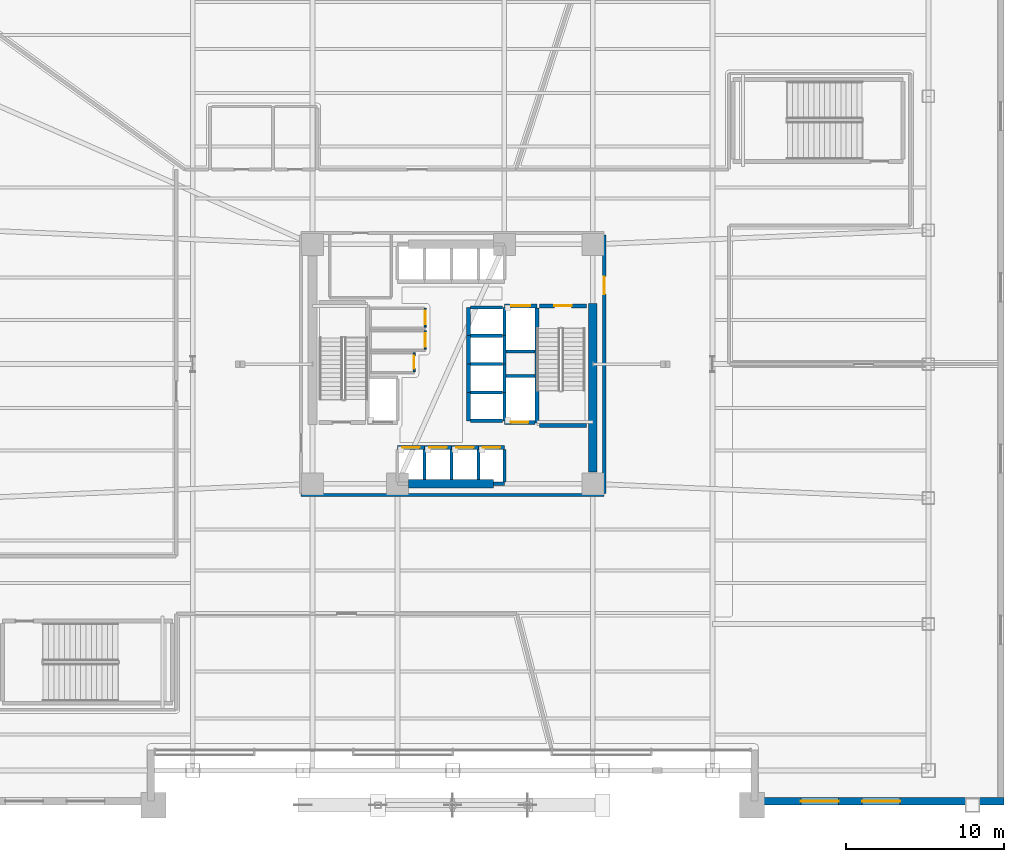
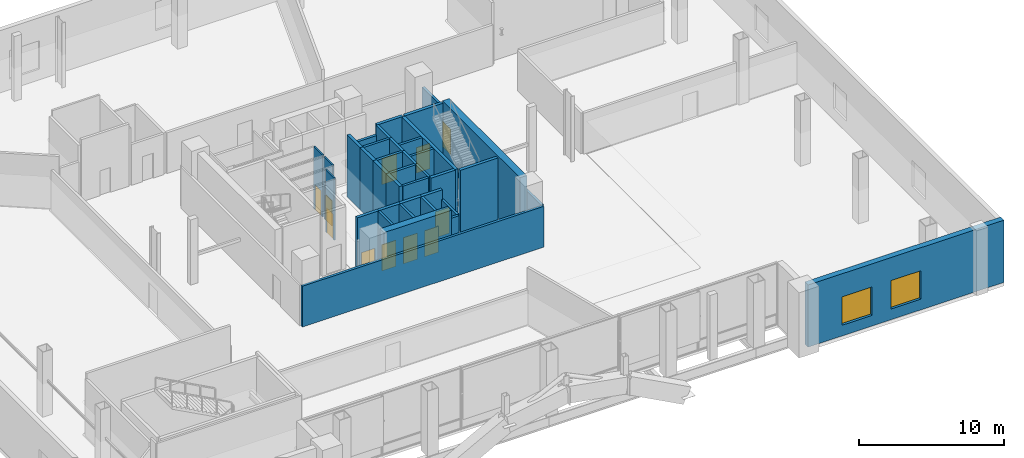
# One storey, part 9 of 19: 37 walls, 11 doors, 2 windows, 13 openings.
"""IFC4 building model written with IfcOpenShell, lengths in metres."""

from ifc_helpers import new_model, si_unit, direction, frame, frame_2d, origin, place, context, subcontext, project, spatial, rectangle, extrude, material, layer, layer_set, type_object, element, fill, save


model = new_model("IFC4")

# Units and contexts
model_context = context("Model", 3, precision=1e-05, world=origin(), true_north=direction((0.0, 1.0)))
body_context = subcontext(model_context, "Body", "Model", "MODEL_VIEW")
ifc_project = project(units=[si_unit("LENGTHUNIT", "METRE"), si_unit("AREAUNIT", "SQUARE_METRE"), si_unit("VOLUMEUNIT", "CUBIC_METRE"), si_unit("PLANEANGLEUNIT", "RADIAN"), si_unit("MASSUNIT", "GRAM", prefix="KILO")], contexts=[model_context])

# Site, building, storey
site_placement = place(None, origin())
site = spatial("IfcSite", under=ifc_project, at=site_placement, CompositionType="ELEMENT")
building_placement = place(site_placement, origin())
building = spatial("IfcBuilding", under=site, at=building_placement, Name="Tharavind Bronze Gate", CompositionType="ELEMENT")
storey_placement = place(building_placement, frame((0.0, 0.0, 11.0)))
storey = spatial("IfcBuildingStorey", under=building, at=storey_placement, Name="L02", CompositionType="ELEMENT", Elevation=11.0)

# Wall, openings, windows
ifc_material_1 = material(Name="Concrete C50/60", Category="concrete")
ifc_layer_1 = layer(ifc_material_1, 0.449951171875)
ifc_layer_set_1 = layer_set([ifc_layer_1], Name="Concrete C50/60")
wall_type_1 = type_object("IfcWallType", Name="EXTERIOR SPANDREL WALL 450", PredefinedType="STANDARD", material=ifc_layer_set_1)
wall_1_placement = place(storey_placement, frame((19.39990234375, -27.75, 0.0), z_axis=(0.0, 0.0, 1.0), x_axis=(1.0, 0.0, 0.0)))
wall_1 = element("IfcWall", 1, at=wall_1_placement, inside=storey, type_object=wall_type_1, Name="L02 south portal east flank wall", PredefinedType="STANDARD", context=body_context, shape_type="SweptSolid", body=[
    extrude(rectangle(XDim=15.60009765625, YDim=0.449951171875, at=frame_2d((7.800048828125, 0.0))), origin(), (0.0, 0.0, 1.0), 5.239990234375),
])
opening_1_placement = place(wall_1_placement, frame((2.699951171875, 0.0, 0.89990234375)))
opening_1 = element("IfcOpeningElement", 2, at=opening_1_placement, cuts=wall_1, Name="Opening W03", PredefinedType="OPENING", context=body_context, shape_type="SweptSolid", body=[
    extrude(rectangle(XDim=2.39990234375, YDim=2.39990234375, at=frame_2d((1.199951171875, 1.199951171875))), frame((0.0, 0.23509765625, 0.0), z_axis=(0.0, -1.0, 0.0), x_axis=(1.0, 0.0, 0.0)), (0.0, 0.0, 1.0), 0.469951171875),
])
opening_2_placement = place(wall_1_placement, frame((6.60009765625, 0.0, 0.89990234375)))
opening_2 = element("IfcOpeningElement", 3, at=opening_2_placement, cuts=wall_1, Name="Opening W03", PredefinedType="OPENING", context=body_context, shape_type="SweptSolid", body=[
    extrude(rectangle(XDim=2.39990234375, YDim=2.39990234375, at=frame_2d((1.199951171875, 1.199951171875))), frame((0.0, 0.23509765625, 0.0), z_axis=(0.0, -1.0, 0.0), x_axis=(1.0, 0.0, 0.0)), (0.0, 0.0, 1.0), 0.469951171875),
])
ifc_material_2 = material(Name="Bronze Aluminium & Low-E Glass", Category="aluminium")
window_type = type_object("IfcWindowType", Name="PODIUM RIBBON BRONZE WINDOW 2400X2400", PartitioningType="TRIPLE_PANEL_VERTICAL", PredefinedType="WINDOW", material=ifc_material_2)
window_1_placement = place(opening_1_placement, origin())
window_1 = element("IfcWindow", 4, at=window_1_placement, inside=storey, type_object=window_type, Name="L02 exterior window WL-L02-ARCHSR-01", OverallHeight=2.39990234375, OverallWidth=2.39990234375, PartitioningType="SINGLE_PANEL", PredefinedType="WINDOW", context=body_context, shape_type="SweptSolid", body=[
    extrude(rectangle(XDim=2.39990234375, YDim=2.39990234375, at=frame_2d((1.199951171875, 1.199951171875))), frame((0.0, 0.030029296875, 0.0), z_axis=(0.0, -1.0, 0.0), x_axis=(1.0, 0.0, 0.0)), (0.0, 0.0, 1.0), 0.06005859375),
])
fill(opening_1, window_1)
window_2_placement = place(opening_2_placement, origin())
window_2 = element("IfcWindow", 5, at=window_2_placement, inside=storey, type_object=window_type, Name="L02 exterior window WL-L02-ARCHSR-02", OverallHeight=2.39990234375, OverallWidth=2.39990234375, PartitioningType="SINGLE_PANEL", PredefinedType="WINDOW", context=body_context, shape_type="SweptSolid", body=[
    extrude(rectangle(XDim=2.39990234375, YDim=2.39990234375, at=frame_2d((1.199951171875, 1.199951171875))), frame((0.0, 0.030029296875, 0.0), z_axis=(0.0, -1.0, 0.0), x_axis=(1.0, 0.0, 0.0)), (0.0, 0.0, 1.0), 0.06005859375),
])
fill(opening_2, window_2)

# Wall
ifc_material_3 = material(Name="Aerated Concrete Block", Category="concrete")
ifc_layer_2 = layer(ifc_material_3, 0.199951171875)
ifc_layer_set_2 = layer_set([ifc_layer_2], Name="Aerated Concrete Block")
wall_type_2 = type_object("IfcWallType", Name="FIRE RATED PARTITION 200", PredefinedType="PARTITIONING", material=ifc_layer_set_2)
wall_2_placement = place(storey_placement, frame((-9.6201171875, -8.320068359375, 0.0), z_axis=(0.0, 0.0, 1.0), x_axis=(1.0, 0.0, 0.0)))
element("IfcWall", 6, at=wall_2_placement, inside=storey, type_object=wall_type_2, Name="L02 south core corridor wall", PredefinedType="PARTITIONING", context=body_context, shape_type="SweptSolid", body=[
    extrude(rectangle(XDim=19.240234375, YDim=0.199951171875, at=frame_2d((9.6201171875, 0.0))), origin(), (0.0, 0.0, 1.0), 3.43505859375),
])

# Wall, opening, door
wall_3_placement = place(storey_placement, frame((9.6201171875, -8.199951171875, 0.0), z_axis=(0.0, 0.0, 1.0), x_axis=(0.0, 1.0, 0.0)))
wall_3 = element("IfcWall", 7, at=wall_3_placement, inside=storey, type_object=wall_type_2, Name="L02 east core corridor wall", PredefinedType="PARTITIONING", context=body_context, shape_type="SweptSolid", body=[
    extrude(rectangle(XDim=16.39990234375, YDim=0.199951171875, at=frame_2d((8.199951171875, 0.0))), origin(), (0.0, 0.0, 1.0), 3.43505859375),
])
opening_3_placement = place(wall_3_placement, frame((12.64990234375, 0.0, 0.0)))
opening_3 = element("IfcOpeningElement", 8, at=opening_3_placement, cuts=wall_3, Name="Opening ID01", PredefinedType="OPENING", context=body_context, shape_type="SweptSolid", body=[
    extrude(rectangle(XDim=1.10009765625, YDim=2.14990234375, at=frame_2d((0.550048828125, 1.074951171875))), frame((0.0, 0.11009765625, 0.0), z_axis=(0.0, -1.0, 0.0), x_axis=(1.0, 0.0, 0.0)), (0.0, 0.0, 1.0), 0.219951171875),
])
ifc_material_4 = material(Name="Fire-Rated Steel", Category="steel")
door_type_1 = type_object("IfcDoorType", Name="STAIR CORE FIRE DOOR 1100X2150", OperationType="SINGLE_SWING_LEFT", PredefinedType="DOOR", material=ifc_material_4)
door_1_placement = place(opening_3_placement, frame((1.10009765625, 0.0, 0.0), z_axis=(0.0, 0.0, 1.0), x_axis=(-1.0, 0.0, 0.0)))
door_1 = element("IfcDoor", 9, at=door_1_placement, inside=storey, type_object=door_type_1, Name="L02 north east stair lobby fire door", OperationType="SINGLE_SWING_LEFT", OverallHeight=2.14990234375, OverallWidth=1.10009765625, PredefinedType="DOOR", context=body_context, shape_type="SweptSolid", body=[
    extrude(rectangle(XDim=1.10009765625, YDim=2.14990234375, at=frame_2d((0.550048828125, 1.074951171875))), frame((0.0, 0.02490234375, 0.0), z_axis=(0.0, -1.0, 0.0), x_axis=(1.0, 0.0, 0.0)), (0.0, 0.0, 1.0), 0.050048828125),
])
fill(opening_3, door_1)

ifc_material_5 = material(Name="Metal Stud Gypsum Partition", Category="gypsum")
ifc_layer_3 = layer(ifc_material_5, 0.1201171875)
ifc_layer_set_3 = layer_set([ifc_layer_3], Name="Metal Stud Gypsum Partition")
wall_type_3 = type_object("IfcWallType", Name="INTERIOR PARTITION WALL 120", PredefinedType="PARTITIONING", material=ifc_layer_set_3)
wall_4_placement = place(storey_placement, frame((-1.75, 2.344970703125, 0.0), z_axis=(0.0, 0.0, 1.0), x_axis=(0.0, 1.0, 0.0)))
wall_4 = element("IfcWall", 10, at=wall_4_placement, inside=storey, type_object=wall_type_3, Name="L02 Housekeeping Linen Store partition 2", PredefinedType="PARTITIONING", context=body_context, shape_type="SweptSolid", body=[
    extrude(rectangle(XDim=1.205078125, YDim=0.1201171875, at=frame_2d((0.6025390625, 0.0))), origin(), (0.0, 0.0, 1.0), 5.239990234375),
])
opening_4_placement = place(wall_4_placement, frame((0.177001953125, 0.0, 0.0)))
opening_4 = element("IfcOpeningElement", 11, at=opening_4_placement, cuts=wall_4, Name="Opening ID06", PredefinedType="OPENING", context=body_context, shape_type="SweptSolid", body=[
    extrude(rectangle(XDim=0.85009765625, YDim=2.10009765625, at=frame_2d((0.425048828125, 1.050048828125))), frame((0.0, 0.07005859375, 0.0), z_axis=(0.0, -1.0, 0.0), x_axis=(1.0, 0.0, 0.0)), (0.0, 0.0, 1.0), 0.1401171875),
])
ifc_material_6 = material(Name="Moisture-Resistant Timber", Category="wood")
door_type_2 = type_object("IfcDoorType", Name="BATHROOM PRIVACY DOOR 850X2100", OperationType="SINGLE_SWING_RIGHT", PredefinedType="DOOR", material=ifc_material_6)
door_2_placement = place(opening_4_placement, frame((0.85009765625, 0.0, 0.0), z_axis=(0.0, 0.0, 1.0), x_axis=(-1.0, 0.0, 0.0)))
door_2 = element("IfcDoor", 12, at=door_2_placement, inside=storey, type_object=door_type_2, Name="L02 Housekeeping Linen Store door", OperationType="SINGLE_SWING_RIGHT", OverallHeight=2.10009765625, OverallWidth=0.85009765625, PredefinedType="DOOR", context=body_context, shape_type="SweptSolid", body=[
    extrude(rectangle(XDim=0.85009765625, YDim=2.10009765625, at=frame_2d((0.425048828125, 1.050048828125))), frame((0.0, 0.02490234375, 0.0), z_axis=(0.0, -1.0, 0.0), x_axis=(1.0, 0.0, 0.0)), (0.0, 0.0, 1.0), 0.050048828125),
])
fill(opening_4, door_2)

wall_5_placement = place(storey_placement, frame((-1.75, 0.945068359375, 0.0), z_axis=(0.0, 0.0, 1.0), x_axis=(0.0, 1.0, 0.0)))
wall_5 = element("IfcWall", 13, at=wall_5_placement, inside=storey, type_object=wall_type_3, Name="L02 Comms Data Room partition 2", PredefinedType="PARTITIONING", context=body_context, shape_type="SweptSolid", body=[
    extrude(rectangle(XDim=1.175048828125, YDim=0.1201171875, at=frame_2d((0.58740234375, 0.0))), origin(), (0.0, 0.0, 1.0), 5.239990234375),
])
opening_5_placement = place(wall_5_placement, frame((0.1630859375, 0.0, 0.0)))
opening_5 = element("IfcOpeningElement", 14, at=opening_5_placement, cuts=wall_5, Name="Opening ID06", PredefinedType="OPENING", context=body_context, shape_type="SweptSolid", body=[
    extrude(rectangle(XDim=0.85009765625, YDim=2.10009765625, at=frame_2d((0.425048828125, 1.050048828125))), frame((0.0, 0.07005859375, 0.0), z_axis=(0.0, -1.0, 0.0), x_axis=(1.0, 0.0, 0.0)), (0.0, 0.0, 1.0), 0.1401171875),
])
door_3_placement = place(opening_5_placement, frame((0.85009765625, 0.0, 0.0), z_axis=(0.0, 0.0, 1.0), x_axis=(-1.0, 0.0, 0.0)))
door_3 = element("IfcDoor", 15, at=door_3_placement, inside=storey, type_object=door_type_2, Name="L02 Comms Data Room door", OperationType="SINGLE_SWING_RIGHT", OverallHeight=2.10009765625, OverallWidth=0.85009765625, PredefinedType="DOOR", context=body_context, shape_type="SweptSolid", body=[
    extrude(rectangle(XDim=0.85009765625, YDim=2.10009765625, at=frame_2d((0.425048828125, 1.050048828125))), frame((0.0, 0.02490234375, 0.0), z_axis=(0.0, -1.0, 0.0), x_axis=(1.0, 0.0, 0.0)), (0.0, 0.0, 1.0), 0.050048828125),
])
fill(opening_5, door_3)

wall_6_placement = place(storey_placement, frame((-2.449951171875, -0.485107421875, 0.0), z_axis=(0.0, 0.0, 1.0), x_axis=(0.0, 1.0, 0.0)))
wall_6 = element("IfcWall", 16, at=wall_6_placement, inside=storey, type_object=wall_type_3, Name="L02 Electrical Metering Store partition 2", PredefinedType="PARTITIONING", context=body_context, shape_type="SweptSolid", body=[
    extrude(rectangle(XDim=1.205078125, YDim=0.1201171875, at=frame_2d((0.6025390625, 0.0))), origin(), (0.0, 0.0, 1.0), 5.239990234375),
])
opening_6_placement = place(wall_6_placement, frame((0.177978515625, 0.0, 0.0)))
opening_6 = element("IfcOpeningElement", 17, at=opening_6_placement, cuts=wall_6, Name="Opening ID06", PredefinedType="OPENING", context=body_context, shape_type="SweptSolid", body=[
    extrude(rectangle(XDim=0.85009765625, YDim=2.10009765625, at=frame_2d((0.425048828125, 1.050048828125))), frame((0.0, 0.07005859375, 0.0), z_axis=(0.0, -1.0, 0.0), x_axis=(1.0, 0.0, 0.0)), (0.0, 0.0, 1.0), 0.1401171875),
])
door_4_placement = place(opening_6_placement, frame((0.85009765625, 0.0, 0.0), z_axis=(0.0, 0.0, 1.0), x_axis=(-1.0, 0.0, 0.0)))
door_4 = element("IfcDoor", 18, at=door_4_placement, inside=storey, type_object=door_type_2, Name="L02 Electrical Metering Store door", OperationType="SINGLE_SWING_RIGHT", OverallHeight=2.10009765625, OverallWidth=0.85009765625, PredefinedType="DOOR", context=body_context, shape_type="SweptSolid", body=[
    extrude(rectangle(XDim=0.85009765625, YDim=2.10009765625, at=frame_2d((0.425048828125, 1.050048828125))), frame((0.0, 0.02490234375, 0.0), z_axis=(0.0, -1.0, 0.0), x_axis=(1.0, 0.0, 0.0)), (0.0, 0.0, 1.0), 0.050048828125),
])
fill(opening_6, door_4)

# Wall
ifc_layer_4 = layer(ifc_material_1, 0.25)
ifc_layer_set_4 = layer_set([ifc_layer_4], Name="Concrete C50/60")
wall_type_4 = type_object("IfcWallType", Name="RC CORE SHEAR WALL 250", PredefinedType="SHEAR", material=ifc_layer_set_4)
wall_7_placement = place(storey_placement, frame((5.35009765625, -3.75, 0.0), z_axis=(0.0, 0.0, 1.0), x_axis=(0.0, 1.0, 0.0)))
element("IfcWall", 19, at=wall_7_placement, inside=storey, type_object=wall_type_4, Name="L02 ST2 shaft west wall", PredefinedType="SHEAR", context=body_context, shape_type="SweptSolid", body=[
    extrude(rectangle(XDim=7.300048828125, YDim=0.25, at=frame_2d((3.64990234375, 0.0))), origin(), (0.0, 0.0, 1.0), 5.239990234375),
])

# Wall, opening, door
wall_8_placement = place(storey_placement, frame((5.5, 3.699951171875, 0.0), z_axis=(0.0, 0.0, 1.0), x_axis=(1.0, 0.0, 0.0)))
wall_8 = element("IfcWall", 20, at=wall_8_placement, inside=storey, type_object=wall_type_4, Name="L02 ST2 shaft north wall", PredefinedType="SHEAR", context=body_context, shape_type="SweptSolid", body=[
    extrude(rectangle(XDim=3.0, YDim=0.25, at=frame_2d((1.5, 0.0))), origin(), (0.0, 0.0, 1.0), 5.239990234375),
])
opening_7_placement = place(wall_8_placement, frame((0.949951171875, 0.0, 0.0)))
opening_7 = element("IfcOpeningElement", 21, at=opening_7_placement, cuts=wall_8, Name="Opening ID01", PredefinedType="OPENING", context=body_context, shape_type="SweptSolid", body=[
    extrude(rectangle(XDim=1.10009765625, YDim=2.14990234375, at=frame_2d((0.550048828125, 1.074951171875))), frame((0.0, 0.135, 0.0), z_axis=(0.0, -1.0, 0.0), x_axis=(1.0, 0.0, 0.0)), (0.0, 0.0, 1.0), 0.27),
])
door_5_placement = place(opening_7_placement, frame((1.10009765625, 0.0, 0.0), z_axis=(0.0, 0.0, 1.0), x_axis=(-1.0, 0.0, 0.0)))
door_5 = element("IfcDoor", 22, at=door_5_placement, inside=storey, type_object=door_type_1, Name="L02 exit stair ST2 fire door", OperationType="SINGLE_SWING_LEFT", OverallHeight=2.14990234375, OverallWidth=1.10009765625, PredefinedType="DOOR", context=body_context, shape_type="SweptSolid", body=[
    extrude(rectangle(XDim=1.10009765625, YDim=2.14990234375, at=frame_2d((0.550048828125, 1.074951171875))), frame((0.0, 0.02490234375, 0.0), z_axis=(0.0, -1.0, 0.0), x_axis=(1.0, 0.0, 0.0)), (0.0, 0.0, 1.0), 0.050048828125),
])
fill(opening_7, door_5)

# Wall
wall_9_placement = place(storey_placement, frame((5.5, -3.89990234375, 0.0), z_axis=(0.0, 0.0, 1.0), x_axis=(1.0, 0.0, 0.0)))
element("IfcWall", 23, at=wall_9_placement, inside=storey, type_object=wall_type_4, Name="L02 ST2 shaft south wall", PredefinedType="SHEAR", context=body_context, shape_type="SweptSolid", body=[
    extrude(rectangle(XDim=3.0, YDim=0.25, at=frame_2d((1.5, 0.0))), origin(), (0.0, 0.0, 1.0), 5.239990234375),
])

# Wall, opening, door
wall_10_placement = place(storey_placement, frame((-3.5, -5.300048828125, 0.0), z_axis=(0.0, 0.0, 1.0), x_axis=(1.0, 0.0, 0.0)))
wall_10 = element("IfcWall", 24, at=wall_10_placement, inside=storey, type_object=wall_type_4, Name="L02 lift PL1 shaft front wall", PredefinedType="SHEAR", context=body_context, shape_type="SweptSolid", body=[
    extrude(rectangle(XDim=1.71240234375, YDim=0.25, at=frame_2d((0.856201171875, 0.0))), origin(), (0.0, 0.0, 1.0), 5.239990234375),
])
opening_8_placement = place(wall_10_placement, frame((0.305908203125, 0.0, 0.0)))
opening_8 = element("IfcOpeningElement", 25, at=opening_8_placement, cuts=wall_10, Name="Opening LD01", PredefinedType="OPENING", context=body_context, shape_type="SweptSolid", body=[
    extrude(rectangle(XDim=1.10009765625, YDim=2.199951171875, at=frame_2d((0.550048828125, 1.10009765625))), frame((0.0, 0.135, 0.0), z_axis=(0.0, -1.0, 0.0), x_axis=(1.0, 0.0, 0.0)), (0.0, 0.0, 1.0), 0.27),
])
ifc_material_7 = material(Name="Brushed Bronze Stainless Steel", Category="steel")
door_type_3 = type_object("IfcDoorType", Name="LIFT LANDING SLIDING DOOR 1100X2200", OperationType="SLIDING_TO_LEFT", PredefinedType="DOOR", material=ifc_material_7)
door_6_placement = place(opening_8_placement, origin())
door_6 = element("IfcDoor", 26, at=door_6_placement, inside=storey, type_object=door_type_3, Name="L02 lift PL1 sliding landing door", OperationType="SLIDING_TO_LEFT", OverallHeight=2.199951171875, OverallWidth=1.10009765625, PredefinedType="DOOR", context=body_context, shape_type="SweptSolid", body=[
    extrude(rectangle(XDim=1.10009765625, YDim=2.199951171875, at=frame_2d((0.550048828125, 1.10009765625))), frame((0.0, 0.02490234375, 0.0), z_axis=(0.0, -1.0, 0.0), x_axis=(1.0, 0.0, 0.0)), (0.0, 0.0, 1.0), 0.050048828125),
])
fill(opening_8, door_6)

wall_11_placement = place(storey_placement, frame((-1.78759765625, -5.300048828125, 0.0), z_axis=(0.0, 0.0, 1.0), x_axis=(1.0, 0.0, 0.0)))
wall_11 = element("IfcWall", 27, at=wall_11_placement, inside=storey, type_object=wall_type_4, Name="L02 lift PL2 shaft front wall", PredefinedType="SHEAR", context=body_context, shape_type="SweptSolid", body=[
    extrude(rectangle(XDim=1.712646484375, YDim=0.25, at=frame_2d((0.8564453125, 0.0))), origin(), (0.0, 0.0, 1.0), 5.239990234375),
])
opening_9_placement = place(wall_11_placement, frame((0.305908203125, 0.0, 0.0)))
opening_9 = element("IfcOpeningElement", 28, at=opening_9_placement, cuts=wall_11, Name="Opening LD01", PredefinedType="OPENING", context=body_context, shape_type="SweptSolid", body=[
    extrude(rectangle(XDim=1.10009765625, YDim=2.199951171875, at=frame_2d((0.550048828125, 1.10009765625))), frame((0.0, 0.135, 0.0), z_axis=(0.0, -1.0, 0.0), x_axis=(1.0, 0.0, 0.0)), (0.0, 0.0, 1.0), 0.27),
])
door_7_placement = place(opening_9_placement, origin())
door_7 = element("IfcDoor", 29, at=door_7_placement, inside=storey, type_object=door_type_3, Name="L02 lift PL2 sliding landing door", OperationType="SLIDING_TO_LEFT", OverallHeight=2.199951171875, OverallWidth=1.10009765625, PredefinedType="DOOR", context=body_context, shape_type="SweptSolid", body=[
    extrude(rectangle(XDim=1.10009765625, YDim=2.199951171875, at=frame_2d((0.550048828125, 1.10009765625))), frame((0.0, 0.02490234375, 0.0), z_axis=(0.0, -1.0, 0.0), x_axis=(1.0, 0.0, 0.0)), (0.0, 0.0, 1.0), 0.050048828125),
])
fill(opening_9, door_7)

wall_12_placement = place(storey_placement, frame((-0.074951171875, -5.300048828125, 0.0), z_axis=(0.0, 0.0, 1.0), x_axis=(1.0, 0.0, 0.0)))
wall_12 = element("IfcWall", 30, at=wall_12_placement, inside=storey, type_object=wall_type_4, Name="L02 lift PL3 shaft front wall", PredefinedType="SHEAR", context=body_context, shape_type="SweptSolid", body=[
    extrude(rectangle(XDim=1.71240234375, YDim=0.25, at=frame_2d((0.856201171875, 0.0))), origin(), (0.0, 0.0, 1.0), 5.239990234375),
])
opening_10_placement = place(wall_12_placement, frame((0.305908203125, 0.0, 0.0)))
opening_10 = element("IfcOpeningElement", 31, at=opening_10_placement, cuts=wall_12, Name="Opening LD01", PredefinedType="OPENING", context=body_context, shape_type="SweptSolid", body=[
    extrude(rectangle(XDim=1.10009765625, YDim=2.199951171875, at=frame_2d((0.550048828125, 1.10009765625))), frame((0.0, 0.135, 0.0), z_axis=(0.0, -1.0, 0.0), x_axis=(1.0, 0.0, 0.0)), (0.0, 0.0, 1.0), 0.27),
])
door_8_placement = place(opening_10_placement, origin())
door_8 = element("IfcDoor", 32, at=door_8_placement, inside=storey, type_object=door_type_3, Name="L02 lift PL3 sliding landing door", OperationType="SLIDING_TO_LEFT", OverallHeight=2.199951171875, OverallWidth=1.10009765625, PredefinedType="DOOR", context=body_context, shape_type="SweptSolid", body=[
    extrude(rectangle(XDim=1.10009765625, YDim=2.199951171875, at=frame_2d((0.550048828125, 1.10009765625))), frame((0.0, 0.02490234375, 0.0), z_axis=(0.0, -1.0, 0.0), x_axis=(1.0, 0.0, 0.0)), (0.0, 0.0, 1.0), 0.050048828125),
])
fill(opening_10, door_8)

wall_13_placement = place(storey_placement, frame((1.637451171875, -5.300048828125, 0.0), z_axis=(0.0, 0.0, 1.0), x_axis=(1.0, 0.0, 0.0)))
wall_13 = element("IfcWall", 33, at=wall_13_placement, inside=storey, type_object=wall_type_4, Name="L02 lift PL4 shaft front wall", PredefinedType="SHEAR", context=body_context, shape_type="SweptSolid", body=[
    extrude(rectangle(XDim=1.642578125, YDim=0.25, at=frame_2d((0.8212890625, 0.0))), origin(), (0.0, 0.0, 1.0), 5.239990234375),
])
opening_11_placement = place(wall_13_placement, frame((0.27099609375, 0.0, 0.0)))
opening_11 = element("IfcOpeningElement", 34, at=opening_11_placement, cuts=wall_13, Name="Opening LD01", PredefinedType="OPENING", context=body_context, shape_type="SweptSolid", body=[
    extrude(rectangle(XDim=1.10009765625, YDim=2.199951171875, at=frame_2d((0.550048828125, 1.10009765625))), frame((0.0, 0.135, 0.0), z_axis=(0.0, -1.0, 0.0), x_axis=(1.0, 0.0, 0.0)), (0.0, 0.0, 1.0), 0.27),
])
door_9_placement = place(opening_11_placement, origin())
door_9 = element("IfcDoor", 35, at=door_9_placement, inside=storey, type_object=door_type_3, Name="L02 lift PL4 sliding landing door", OperationType="SLIDING_TO_LEFT", OverallHeight=2.199951171875, OverallWidth=1.10009765625, PredefinedType="DOOR", context=body_context, shape_type="SweptSolid", body=[
    extrude(rectangle(XDim=1.10009765625, YDim=2.199951171875, at=frame_2d((0.550048828125, 1.10009765625))), frame((0.0, 0.02490234375, 0.0), z_axis=(0.0, -1.0, 0.0), x_axis=(1.0, 0.0, 0.0)), (0.0, 0.0, 1.0), 0.050048828125),
])
fill(opening_11, door_9)

# Walls
for number, where, z_axis, x_axis, name in (
    (36, (1.0, -3.60009765625, 0.0), (0.0, 0.0, 1.0), (0.0, 1.0, 0.0), "L02 lift PL9 shaft front wall"),
    (37, (1.0, -1.800048828125, 0.0), (0.0, 0.0, 1.0), (0.0, 1.0, 0.0), "L02 lift PL10 shaft front wall"),
    (38, (1.0, 0.0, 0.0), (0.0, 0.0, 1.0), (0.0, 1.0, 0.0), "L02 lift PL11 shaft front wall"),
    (39, (1.0, 1.800048828125, 0.0), (0.0, 0.0, 1.0), (0.0, 1.0, 0.0), "L02 lift PL12 shaft front wall"),
):
    element("IfcWall", number, at=place(storey_placement, frame(where, z_axis=z_axis, x_axis=x_axis)), inside=storey, type_object=wall_type_4, Name=name, PredefinedType="SHEAR", context=body_context, shape_type="SweptSolid", body=[
        extrude(rectangle(XDim=1.800048828125, YDim=0.25, at=frame_2d((0.89990234375, 0.0))), origin(), (0.0, 0.0, 1.0), 5.239990234375),
    ])

# Wall, opening, door
wall_14_placement = place(storey_placement, frame((3.280029296875, 3.699951171875, 0.0), z_axis=(0.0, 0.0, 1.0), x_axis=(1.0, 0.0, 0.0)))
wall_14 = element("IfcWall", 40, at=wall_14_placement, inside=storey, type_object=wall_type_4, Name="L02 lift FFL2 shaft front wall", PredefinedType="SHEAR", context=body_context, shape_type="SweptSolid", body=[
    extrude(rectangle(XDim=2.070068359375, YDim=0.25, at=frame_2d((1.03515625, 0.0))), origin(), (0.0, 0.0, 1.0), 5.239990234375),
])
opening_12_placement = place(wall_14_placement, frame((0.43505859375, 0.0, 0.0)))
opening_12 = element("IfcOpeningElement", 41, at=opening_12_placement, cuts=wall_14, Name="Opening LD02", PredefinedType="OPENING", context=body_context, shape_type="SweptSolid", body=[
    extrude(rectangle(XDim=1.199951171875, YDim=2.199951171875, at=frame_2d((0.60009765625, 1.10009765625))), frame((0.0, 0.135, 0.0), z_axis=(0.0, -1.0, 0.0), x_axis=(1.0, 0.0, 0.0)), (0.0, 0.0, 1.0), 0.27),
])
ifc_material_8 = material(Name="Brushed Stainless Steel", Category="steel")
door_type_4 = type_object("IfcDoorType", Name="FIREFIGHTING LIFT LANDING DOOR 1200X2200", OperationType="SLIDING_TO_RIGHT", PredefinedType="DOOR", material=ifc_material_8)
door_10_placement = place(opening_12_placement, origin())
door_10 = element("IfcDoor", 42, at=door_10_placement, inside=storey, type_object=door_type_4, Name="L02 lift FFL2 sliding landing door", OperationType="SLIDING_TO_RIGHT", OverallHeight=2.199951171875, OverallWidth=1.199951171875, PredefinedType="DOOR", context=body_context, shape_type="SweptSolid", body=[
    extrude(rectangle(XDim=1.199951171875, YDim=2.199951171875, at=frame_2d((0.60009765625, 1.10009765625))), frame((0.0, 0.02490234375, 0.0), z_axis=(0.0, -1.0, 0.0), x_axis=(1.0, 0.0, 0.0)), (0.0, 0.0, 1.0), 0.050048828125),
])
fill(opening_12, door_10)

wall_15_placement = place(storey_placement, frame((3.280029296875, -3.699951171875, 0.0), z_axis=(0.0, 0.0, 1.0), x_axis=(1.0, 0.0, 0.0)))
wall_15 = element("IfcWall", 43, at=wall_15_placement, inside=storey, type_object=wall_type_4, Name="L02 lift SVL1 shaft front wall", PredefinedType="SHEAR", context=body_context, shape_type="SweptSolid", body=[
    extrude(rectangle(XDim=1.93994140625, YDim=0.25, at=frame_2d((0.969970703125, 0.0))), origin(), (0.0, 0.0, 1.0), 5.239990234375),
])
opening_13_placement = place(wall_15_placement, frame((0.419921875, 0.0, 0.0)))
opening_13 = element("IfcOpeningElement", 44, at=opening_13_placement, cuts=wall_15, Name="Opening LD01", PredefinedType="OPENING", context=body_context, shape_type="SweptSolid", body=[
    extrude(rectangle(XDim=1.10009765625, YDim=2.199951171875, at=frame_2d((0.550048828125, 1.10009765625))), frame((0.0, 0.135, 0.0), z_axis=(0.0, -1.0, 0.0), x_axis=(1.0, 0.0, 0.0)), (0.0, 0.0, 1.0), 0.27),
])
door_11_placement = place(opening_13_placement, origin())
door_11 = element("IfcDoor", 45, at=door_11_placement, inside=storey, type_object=door_type_3, Name="L02 lift SVL1 sliding landing door", OperationType="SLIDING_TO_LEFT", OverallHeight=2.199951171875, OverallWidth=1.10009765625, PredefinedType="DOOR", context=body_context, shape_type="SweptSolid", body=[
    extrude(rectangle(XDim=1.10009765625, YDim=2.199951171875, at=frame_2d((0.550048828125, 1.10009765625))), frame((0.0, 0.02490234375, 0.0), z_axis=(0.0, -1.0, 0.0), x_axis=(1.0, 0.0, 0.0)), (0.0, 0.0, 1.0), 0.050048828125),
])
fill(opening_13, door_11)

# Walls
ifc_material_9 = material(Name="Concrete C60/75", Category="concrete")
ifc_layer_5 = layer(ifc_material_9, 0.550048828125)
ifc_layer_set_5 = layer_set([ifc_layer_5], Name="Concrete C60/75")
wall_type_5 = type_object("IfcWallType", Name="RC CORE SHEAR WALL 550", PredefinedType="SHEAR", material=ifc_layer_set_5)
wall_16_placement = place(storey_placement, frame((-2.800048828125, -7.60009765625, 0.0), z_axis=(0.0, 0.0, 1.0), x_axis=(1.0, 0.0, 0.0)))
element("IfcWall", 46, at=wall_16_placement, inside=storey, type_object=wall_type_5, Name="L02 south core shear wall", PredefinedType="SHEAR", context=body_context, shape_type="SweptSolid", body=[
    extrude(rectangle(XDim=5.380126953125, YDim=0.550048828125, at=frame_2d((2.68994140625, 0.0))), origin(), (0.0, 0.0, 1.0), 5.239990234375),
])
wall_17_placement = place(storey_placement, frame((8.89990234375, -6.85009765625, 0.0), z_axis=(0.0, 0.0, 1.0), x_axis=(0.0, 1.0, 0.0)))
element("IfcWall", 47, at=wall_17_placement, inside=storey, type_object=wall_type_5, Name="L02 east core shear wall", PredefinedType="SHEAR", context=body_context, shape_type="SweptSolid", body=[
    extrude(rectangle(XDim=10.7001953125, YDim=0.550048828125, at=frame_2d((5.35009765625, 0.0))), origin(), (0.0, 0.0, 1.0), 5.239990234375),
])
ifc_material_10 = material(Name="Concrete C40/50", Category="concrete")
ifc_layer_6 = layer(ifc_material_10, 0.199951171875)
ifc_layer_set_6 = layer_set([ifc_layer_6], Name="Concrete C40/50")
wall_type_6 = type_object("IfcWallType", Name="SHAFT ENCLOSURE WALL 200", PredefinedType="PARTITIONING", material=ifc_layer_set_6)
for number, where, z_axis, x_axis, name in (
    (48, (-1.78759765625, -7.320068359375, 0.0), (0.0, 0.0, 1.0), (0.0, 1.0, 0.0), "L02 lift PL1 shaft E enclosure wall"),
    (49, (-0.074951171875, -7.320068359375, 0.0), (0.0, 0.0, 1.0), (0.0, 1.0, 0.0), "L02 lift PL2 shaft E enclosure wall"),
    (50, (1.637451171875, -7.320068359375, 0.0), (0.0, 0.0, 1.0), (0.0, 1.0, 0.0), "L02 lift PL3 shaft E enclosure wall"),
):
    element("IfcWall", number, at=place(storey_placement, frame(where, z_axis=z_axis, x_axis=x_axis)), inside=storey, type_object=wall_type_6, Name=name, PredefinedType="PARTITIONING", context=body_context, shape_type="SweptSolid", body=[
        extrude(rectangle(XDim=1.89013671875, YDim=0.199951171875, at=frame_2d((0.945068359375, 0.0))), origin(), (0.0, 0.0, 1.0), 5.239990234375),
    ])
wall_18_placement = place(storey_placement, frame((2.580078125, -7.60009765625, 0.0), z_axis=(0.0, 0.0, 1.0), x_axis=(1.0, 0.0, 0.0)))
element("IfcWall", 51, at=wall_18_placement, inside=storey, type_object=wall_type_6, Name="L02 lift PL4 shaft S enclosure wall", PredefinedType="PARTITIONING", context=body_context, shape_type="SweptSolid", body=[
    extrude(rectangle(XDim=0.699951171875, YDim=0.199951171875, at=frame_2d((0.35009765625, 0.0))), origin(), (0.0, 0.0, 1.0), 4.43505859375),
])
wall_19_placement = place(storey_placement, frame((3.280029296875, -7.4951171875, 0.0), z_axis=(0.0, 0.0, 1.0), x_axis=(0.0, 1.0, 0.0)))
element("IfcWall", 52, at=wall_19_placement, inside=storey, type_object=wall_type_6, Name="L02 lift PL4 shaft E enclosure wall", PredefinedType="PARTITIONING", context=body_context, shape_type="SweptSolid", body=[
    extrude(rectangle(XDim=2.065185546875, YDim=0.199951171875, at=frame_2d((1.03271484375, 0.0))), origin(), (0.0, 0.0, 1.0), 4.43505859375),
])
wall_20_placement = place(storey_placement, frame((3.280029296875, -3.60009765625, 0.0), z_axis=(0.0, 0.0, 1.0), x_axis=(0.0, 1.0, 0.0)))
element("IfcWall", 53, at=wall_20_placement, inside=storey, type_object=wall_type_6, Name="L02 lift PL9 shaft E enclosure wall", PredefinedType="PARTITIONING", context=body_context, shape_type="SweptSolid", body=[
    extrude(rectangle(XDim=1.800048828125, YDim=0.199951171875, at=frame_2d((0.89990234375, 0.0))), origin(), (0.0, 0.0, 1.0), 5.239990234375),
])
for number, where, z_axis, x_axis, name in (
    (54, (1.1298828125, -3.60009765625, 0.0), (0.0, 0.0, 1.0), (1.0, 0.0, 0.0), "L02 lift PL9 shaft S enclosure wall"),
    (55, (1.1298828125, -1.800048828125, 0.0), (0.0, 0.0, 1.0), (1.0, 0.0, 0.0), "L02 lift PL9 shaft N enclosure wall"),
):
    element("IfcWall", number, at=place(storey_placement, frame(where, z_axis=z_axis, x_axis=x_axis)), inside=storey, type_object=wall_type_6, Name=name, PredefinedType="PARTITIONING", context=body_context, shape_type="SweptSolid", body=[
        extrude(rectangle(XDim=2.045166015625, YDim=0.199951171875, at=frame_2d((1.0224609375, 0.0))), origin(), (0.0, 0.0, 1.0), 5.239990234375),
    ])
wall_21_placement = place(storey_placement, frame((3.280029296875, -1.800048828125, 0.0), z_axis=(0.0, 0.0, 1.0), x_axis=(0.0, 1.0, 0.0)))
element("IfcWall", 56, at=wall_21_placement, inside=storey, type_object=wall_type_6, Name="L02 lift PL10 shaft E enclosure wall", PredefinedType="PARTITIONING", context=body_context, shape_type="SweptSolid", body=[
    extrude(rectangle(XDim=1.800048828125, YDim=0.199951171875, at=frame_2d((0.89990234375, 0.0))), origin(), (0.0, 0.0, 1.0), 5.239990234375),
])
wall_22_placement = place(storey_placement, frame((1.1298828125, 0.0, 0.0), z_axis=(0.0, 0.0, 1.0), x_axis=(1.0, 0.0, 0.0)))
element("IfcWall", 57, at=wall_22_placement, inside=storey, type_object=wall_type_6, Name="L02 lift PL10 shaft N enclosure wall", PredefinedType="PARTITIONING", context=body_context, shape_type="SweptSolid", body=[
    extrude(rectangle(XDim=2.045166015625, YDim=0.199951171875, at=frame_2d((1.0224609375, 0.0))), origin(), (0.0, 0.0, 1.0), 5.239990234375),
])
wall_23_placement = place(storey_placement, frame((3.280029296875, 0.0, 0.0), z_axis=(0.0, 0.0, 1.0), x_axis=(0.0, 1.0, 0.0)))
element("IfcWall", 58, at=wall_23_placement, inside=storey, type_object=wall_type_6, Name="L02 lift PL11 shaft E enclosure wall", PredefinedType="PARTITIONING", context=body_context, shape_type="SweptSolid", body=[
    extrude(rectangle(XDim=1.800048828125, YDim=0.199951171875, at=frame_2d((0.89990234375, 0.0))), origin(), (0.0, 0.0, 1.0), 5.239990234375),
])
wall_24_placement = place(storey_placement, frame((1.1298828125, 1.800048828125, 0.0), z_axis=(0.0, 0.0, 1.0), x_axis=(1.0, 0.0, 0.0)))
element("IfcWall", 59, at=wall_24_placement, inside=storey, type_object=wall_type_6, Name="L02 lift PL11 shaft N enclosure wall", PredefinedType="PARTITIONING", context=body_context, shape_type="SweptSolid", body=[
    extrude(rectangle(XDim=2.045166015625, YDim=0.199951171875, at=frame_2d((1.0224609375, 0.0))), origin(), (0.0, 0.0, 1.0), 5.239990234375),
])
wall_25_placement = place(storey_placement, frame((3.280029296875, 1.800048828125, 0.0), z_axis=(0.0, 0.0, 1.0), x_axis=(0.0, 1.0, 0.0)))
element("IfcWall", 60, at=wall_25_placement, inside=storey, type_object=wall_type_6, Name="L02 lift PL12 shaft E enclosure wall", PredefinedType="PARTITIONING", context=body_context, shape_type="SweptSolid", body=[
    extrude(rectangle(XDim=1.800048828125, YDim=0.199951171875, at=frame_2d((0.89990234375, 0.0))), origin(), (0.0, 0.0, 1.0), 5.239990234375),
])
wall_26_placement = place(storey_placement, frame((1.1298828125, 3.60009765625, 0.0), z_axis=(0.0, 0.0, 1.0), x_axis=(1.0, 0.0, 0.0)))
element("IfcWall", 61, at=wall_26_placement, inside=storey, type_object=wall_type_6, Name="L02 lift PL12 shaft N enclosure wall", PredefinedType="PARTITIONING", context=body_context, shape_type="SweptSolid", body=[
    extrude(rectangle(XDim=2.045166015625, YDim=0.199951171875, at=frame_2d((1.0224609375, 0.0))), origin(), (0.0, 0.0, 1.0), 4.43505859375),
])
for number, where, z_axis, x_axis, name in (
    (62, (3.385009765625, 0.800048828125, 0.0), (0.0, 0.0, 1.0), (1.0, 0.0, 0.0), "L02 lift FFL2 shaft S enclosure wall"),
    (63, (3.385009765625, -0.75, 0.0), (0.0, 0.0, 1.0), (1.0, 0.0, 0.0), "L02 lift SVL1 shaft N enclosure wall"),
):
    element("IfcWall", number, at=place(storey_placement, frame(where, z_axis=z_axis, x_axis=x_axis)), inside=storey, type_object=wall_type_6, Name=name, PredefinedType="PARTITIONING", context=body_context, shape_type="SweptSolid", body=[
        extrude(rectangle(XDim=1.8349609375, YDim=0.199951171875, at=frame_2d((0.91748046875, 0.0))), origin(), (0.0, 0.0, 1.0), 5.239990234375),
    ])

save(model, "model.ifc")
